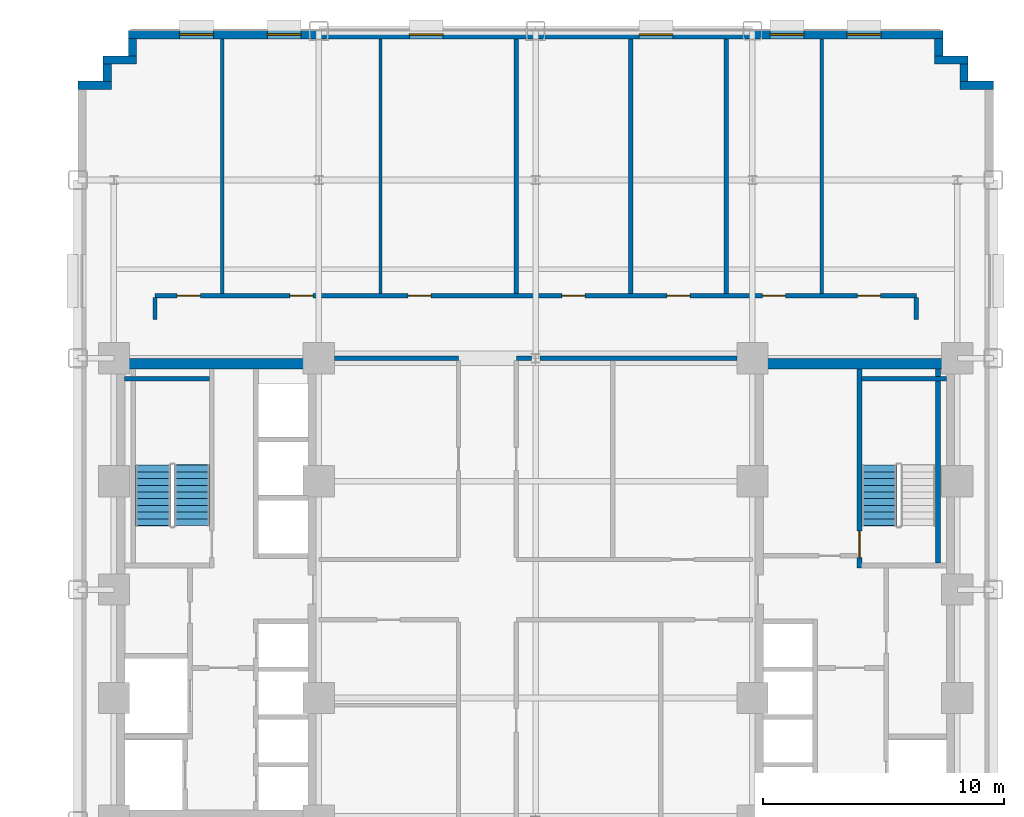
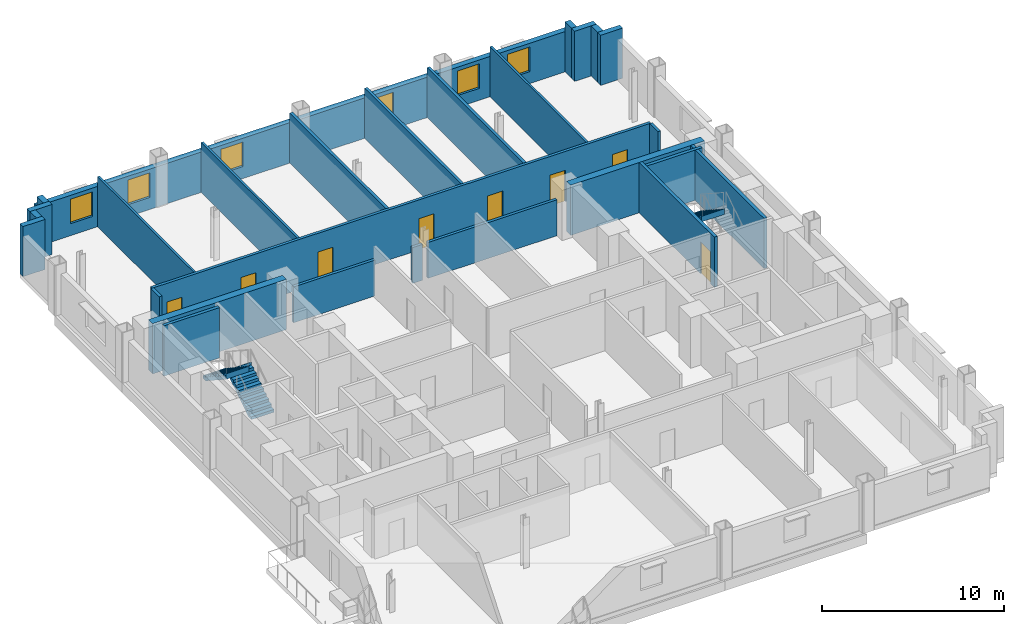
# One storey, part 7 of 12: 27 walls, 8 doors, 6 windows, 3 stair flights, 14 openings, 2 elements without a shape of their own.
"""IFC4 building model written with IfcOpenShell, lengths in metres."""

from ifc_helpers import new_model, si_unit, direction, frame, frame_2d, origin, place, context, subcontext, project, spatial, polyline, rectangle, outline, extrude, source, transform, mapped, material, layer, layer_set, type_object, type_shapes, element, fill, aggregate, save


model = new_model("IFC4")

# Units and contexts
model_context = context("Model", 3, precision=1e-05, world=origin(), true_north=direction((0.0, 1.0)))
body_context = subcontext(model_context, "Body", "Model", "MODEL_VIEW")
ifc_project = project(units=[si_unit("LENGTHUNIT", "METRE"), si_unit("AREAUNIT", "SQUARE_METRE"), si_unit("VOLUMEUNIT", "CUBIC_METRE"), si_unit("PLANEANGLEUNIT", "RADIAN"), si_unit("MASSUNIT", "GRAM", prefix="KILO")], contexts=[model_context])

# Site, building, storey
site_placement = place(None, origin())
site = spatial("IfcSite", under=ifc_project, at=site_placement, CompositionType="ELEMENT")
building_placement = place(site_placement, origin())
building = spatial("IfcBuilding", under=site, at=building_placement, Name="Nuvemarco Arch Tower", CompositionType="ELEMENT")
storey_placement = place(building_placement, frame((0.0, 0.0, 49.5)))
storey = spatial("IfcBuildingStorey", under=building, at=storey_placement, Name="L12", CompositionType="ELEMENT", Elevation=49.5)

# Walls
ifc_material_1 = material(Name="Precast concrete C45/55", Category="concrete")
ifc_layer_1 = layer(ifc_material_1, 0.340087890625, Name="EW-LOW-340")
ifc_layer_set_1 = layer_set([ifc_layer_1], Name="Precast concrete C45/55")
wall_type_1 = type_object("IfcWallType", Name="EW-LOW-340", PredefinedType="STANDARD", material=ifc_layer_set_1)
wall_1_placement = place(storey_placement, frame((17.610107421875, 20.929931640625, 0.0), z_axis=(0.0, 0.0, 1.0), x_axis=(1.0, 0.0, 0.0)))
element("IfcWall", 1, at=wall_1_placement, inside=storey, type_object=wall_type_1, Name="L12 exterior precast facade wall 7", PredefinedType="STANDARD", context=body_context, shape_type="SweptSolid", body=[
    extrude(rectangle(XDim=1.389892578125, YDim=0.340087890625, at=frame_2d((0.69482421875, 0.0))), origin(), (0.0, 0.0, 1.0), 3.360107421875),
])
wall_2_placement = place(storey_placement, frame((17.780029296875, 21.095947265625, 0.0), z_axis=(0.0, 0.0, 1.0), x_axis=(0.0, 1.0, 0.0)))
element("IfcWall", 2, at=wall_2_placement, inside=storey, type_object=wall_type_1, Name="L12 exterior precast facade wall 8", PredefinedType="STANDARD", context=body_context, shape_type="SweptSolid", body=[
    extrude(rectangle(XDim=0.718017578125, YDim=0.340087890625, at=frame_2d((0.35888671875, 0.0))), origin(), (0.0, 0.0, 1.0), 3.360107421875),
])
wall_3_placement = place(storey_placement, frame((16.56005859375, 21.97998046875, 0.0), z_axis=(0.0, 0.0, 1.0), x_axis=(1.0, 0.0, 0.0)))
element("IfcWall", 3, at=wall_3_placement, inside=storey, type_object=wall_type_1, Name="L12 exterior precast facade wall 9", PredefinedType="STANDARD", context=body_context, shape_type="SweptSolid", body=[
    extrude(rectangle(XDim=1.389892578125, YDim=0.340087890625, at=frame_2d((0.69482421875, 0.0))), origin(), (0.0, 0.0, 1.0), 3.360107421875),
])
wall_4_placement = place(storey_placement, frame((16.72998046875, 22.14599609375, 0.0), z_axis=(0.0, 0.0, 1.0), x_axis=(0.0, 1.0, 0.0)))
element("IfcWall", 4, at=wall_4_placement, inside=storey, type_object=wall_type_1, Name="L12 exterior precast facade wall 10", PredefinedType="STANDARD", context=body_context, shape_type="SweptSolid", body=[
    extrude(rectangle(XDim=0.718017578125, YDim=0.340087890625, at=frame_2d((0.35888671875, 0.0))), origin(), (0.0, 0.0, 1.0), 3.360107421875),
])

# Wall, openings, windows
wall_5_placement = place(storey_placement, frame((-16.89990234375, 23.030029296875, 0.0), z_axis=(0.0, 0.0, 1.0), x_axis=(1.0, 0.0, 0.0)))
wall_5 = element("IfcWall", 5, at=wall_5_placement, inside=storey, type_object=wall_type_1, Name="L12 exterior precast facade wall 11", PredefinedType="STANDARD", context=body_context, shape_type="SweptSolid", body=[
    extrude(rectangle(XDim=33.7998046875, YDim=0.340087890625, at=frame_2d((16.89990234375, 0.0))), origin(), (0.0, 0.0, 1.0), 2.705078125),
])
opening_1_placement = place(wall_5_placement, frame((2.121337890625, 0.0, 0.800048828125)))
opening_1 = element("IfcOpeningElement", 6, at=opening_1_placement, cuts=wall_5, Name="Opening WN-4", PredefinedType="OPENING", context=body_context, shape_type="SweptSolid", body=[
    extrude(rectangle(XDim=1.39990234375, YDim=1.64990234375, at=frame_2d((0.699951171875, 0.824951171875))), frame((0.0, 0.179931640625, 0.0), z_axis=(0.0, -1.0, 0.0), x_axis=(1.0, 0.0, 0.0)), (0.0, 0.0, 1.0), 0.360107421875),
])
opening_2_placement = place(wall_5_placement, frame((5.764404296875, 0.0, 0.800048828125)))
opening_2 = element("IfcOpeningElement", 7, at=opening_2_placement, cuts=wall_5, Name="Opening WN-4", PredefinedType="OPENING", context=body_context, shape_type="SweptSolid", body=[
    extrude(rectangle(XDim=1.39990234375, YDim=1.64990234375, at=frame_2d((0.699951171875, 0.824951171875))), frame((0.0, 0.179931640625, 0.0), z_axis=(0.0, -1.0, 0.0), x_axis=(1.0, 0.0, 0.0)), (0.0, 0.0, 1.0), 0.360107421875),
])
opening_3_placement = place(wall_5_placement, frame((11.656982421875, 0.0, 0.800048828125)))
opening_3 = element("IfcOpeningElement", 8, at=opening_3_placement, cuts=wall_5, Name="Opening WN-4", PredefinedType="OPENING", context=body_context, shape_type="SweptSolid", body=[
    extrude(rectangle(XDim=1.39990234375, YDim=1.64990234375, at=frame_2d((0.699951171875, 0.824951171875))), frame((0.0, 0.179931640625, 0.0), z_axis=(0.0, -1.0, 0.0), x_axis=(1.0, 0.0, 0.0)), (0.0, 0.0, 1.0), 0.360107421875),
])
opening_4_placement = place(wall_5_placement, frame((21.19287109375, 0.0, 0.800048828125)))
opening_4 = element("IfcOpeningElement", 9, at=opening_4_placement, cuts=wall_5, Name="Opening WN-4", PredefinedType="OPENING", context=body_context, shape_type="SweptSolid", body=[
    extrude(rectangle(XDim=1.39990234375, YDim=1.64990234375, at=frame_2d((0.699951171875, 0.824951171875))), frame((0.0, 0.179931640625, 0.0), z_axis=(0.0, -1.0, 0.0), x_axis=(1.0, 0.0, 0.0)), (0.0, 0.0, 1.0), 0.360107421875),
])
opening_5_placement = place(wall_5_placement, frame((26.6357421875, 0.0, 0.800048828125)))
opening_5 = element("IfcOpeningElement", 10, at=opening_5_placement, cuts=wall_5, Name="Opening WN-4", PredefinedType="OPENING", context=body_context, shape_type="SweptSolid", body=[
    extrude(rectangle(XDim=1.39990234375, YDim=1.64990234375, at=frame_2d((0.699951171875, 0.824951171875))), frame((0.0, 0.179931640625, 0.0), z_axis=(0.0, -1.0, 0.0), x_axis=(1.0, 0.0, 0.0)), (0.0, 0.0, 1.0), 0.360107421875),
])
opening_6_placement = place(wall_5_placement, frame((29.82861328125, 0.0, 0.800048828125)))
opening_6 = element("IfcOpeningElement", 11, at=opening_6_placement, cuts=wall_5, Name="Opening WN-4", PredefinedType="OPENING", context=body_context, shape_type="SweptSolid", body=[
    extrude(rectangle(XDim=1.39990234375, YDim=1.64990234375, at=frame_2d((0.699951171875, 0.824951171875))), frame((0.0, 0.179931640625, 0.0), z_axis=(0.0, -1.0, 0.0), x_axis=(1.0, 0.0, 0.0)), (0.0, 0.0, 1.0), 0.360107421875),
])
ifc_material_2 = material(Name="Insulated solar-control glass", Category="glass")
window_type = type_object("IfcWindowType", Name="WN-LOW-1400x1650", PartitioningType="SINGLE_PANEL", PredefinedType="WINDOW", material=ifc_material_2)
shared_shape_1 = source(origin(), body_context, "Body", "SweptSolid", [
    extrude(rectangle(XDim=1.39990234375, YDim=1.64990234375, at=frame_2d((0.699951171875, 0.824951171875))), frame((0.0, 0.030029296875, 0.0), z_axis=(0.0, -1.0, 0.0), x_axis=(1.0, 0.0, 0.0)), (0.0, 0.0, 1.0), 0.06005859375),
])
type_shapes(window_type, [shared_shape_1])
window_1_placement = place(opening_1_placement, origin())
window_1 = element("IfcWindow", 12, at=window_1_placement, inside=storey, type_object=window_type, Name="L12 punched facade window 1", OverallHeight=1.64990234375, OverallWidth=1.39990234375, PartitioningType="SINGLE_PANEL", PredefinedType="WINDOW", context=body_context, shape_type="MappedRepresentation", body=[
    mapped(shared_shape_1, transform((0.0, 0.0, 0.0), scale=1.0)),
])
fill(opening_1, window_1)
window_2_placement = place(opening_2_placement, origin())
window_2 = element("IfcWindow", 13, at=window_2_placement, inside=storey, type_object=window_type, Name="L12 punched facade window 2", OverallHeight=1.64990234375, OverallWidth=1.39990234375, PartitioningType="SINGLE_PANEL", PredefinedType="WINDOW", context=body_context, shape_type="MappedRepresentation", body=[
    mapped(shared_shape_1, transform((0.0, 0.0, 0.0), scale=1.0)),
])
fill(opening_2, window_2)
window_3_placement = place(opening_3_placement, origin())
window_3 = element("IfcWindow", 14, at=window_3_placement, inside=storey, type_object=window_type, Name="L12 punched facade window 3", OverallHeight=1.64990234375, OverallWidth=1.39990234375, PartitioningType="SINGLE_PANEL", PredefinedType="WINDOW", context=body_context, shape_type="MappedRepresentation", body=[
    mapped(shared_shape_1, transform((0.0, 0.0, 0.0), scale=1.0)),
])
fill(opening_3, window_3)
window_4_placement = place(opening_4_placement, origin())
window_4 = element("IfcWindow", 15, at=window_4_placement, inside=storey, type_object=window_type, Name="L12 punched facade window 5", OverallHeight=1.64990234375, OverallWidth=1.39990234375, PartitioningType="SINGLE_PANEL", PredefinedType="WINDOW", context=body_context, shape_type="MappedRepresentation", body=[
    mapped(shared_shape_1, transform((0.0, 0.0, 0.0), scale=1.0)),
])
fill(opening_4, window_4)
window_5_placement = place(opening_5_placement, origin())
window_5 = element("IfcWindow", 16, at=window_5_placement, inside=storey, type_object=window_type, Name="L12 punched facade window 6", OverallHeight=1.64990234375, OverallWidth=1.39990234375, PartitioningType="SINGLE_PANEL", PredefinedType="WINDOW", context=body_context, shape_type="MappedRepresentation", body=[
    mapped(shared_shape_1, transform((0.0, 0.0, 0.0), scale=1.0)),
])
fill(opening_5, window_5)
window_6_placement = place(opening_6_placement, origin())
window_6 = element("IfcWindow", 17, at=window_6_placement, inside=storey, type_object=window_type, Name="L12 punched facade window 7", OverallHeight=1.64990234375, OverallWidth=1.39990234375, PartitioningType="SINGLE_PANEL", PredefinedType="WINDOW", context=body_context, shape_type="MappedRepresentation", body=[
    mapped(shared_shape_1, transform((0.0, 0.0, 0.0), scale=1.0)),
])
fill(opening_6, window_6)

# Walls
wall_6_placement = place(storey_placement, frame((-16.72998046875, 22.14599609375, 0.0), z_axis=(0.0, 0.0, 1.0), x_axis=(0.0, 1.0, 0.0)))
element("IfcWall", 18, at=wall_6_placement, inside=storey, type_object=wall_type_1, Name="L12 exterior precast facade wall 12", PredefinedType="STANDARD", context=body_context, shape_type="SweptSolid", body=[
    extrude(rectangle(XDim=0.718017578125, YDim=0.340087890625, at=frame_2d((0.35888671875, 0.0))), origin(), (0.0, 0.0, 1.0), 3.360107421875),
])
wall_7_placement = place(storey_placement, frame((-17.949951171875, 21.97998046875, 0.0), z_axis=(0.0, 0.0, 1.0), x_axis=(1.0, 0.0, 0.0)))
element("IfcWall", 19, at=wall_7_placement, inside=storey, type_object=wall_type_1, Name="L12 exterior precast facade wall 13", PredefinedType="STANDARD", context=body_context, shape_type="SweptSolid", body=[
    extrude(rectangle(XDim=1.389892578125, YDim=0.340087890625, at=frame_2d((0.69482421875, 0.0))), origin(), (0.0, 0.0, 1.0), 3.360107421875),
])
wall_8_placement = place(storey_placement, frame((-17.780029296875, 21.095947265625, 0.0), z_axis=(0.0, 0.0, 1.0), x_axis=(0.0, 1.0, 0.0)))
element("IfcWall", 20, at=wall_8_placement, inside=storey, type_object=wall_type_1, Name="L12 exterior precast facade wall 14", PredefinedType="STANDARD", context=body_context, shape_type="SweptSolid", body=[
    extrude(rectangle(XDim=0.718017578125, YDim=0.340087890625, at=frame_2d((0.35888671875, 0.0))), origin(), (0.0, 0.0, 1.0), 3.360107421875),
])
wall_9_placement = place(storey_placement, frame((-19.0, 20.929931640625, 0.0), z_axis=(0.0, 0.0, 1.0), x_axis=(1.0, 0.0, 0.0)))
element("IfcWall", 21, at=wall_9_placement, inside=storey, type_object=wall_type_1, Name="L12 exterior precast facade wall 15", PredefinedType="STANDARD", context=body_context, shape_type="SweptSolid", body=[
    extrude(rectangle(XDim=1.389892578125, YDim=0.340087890625, at=frame_2d((0.69482421875, 0.0))), origin(), (0.0, 0.0, 1.0), 3.360107421875),
])
ifc_material_3 = material(Name="Concrete C60/75", Category="concrete")
ifc_layer_2 = layer(ifc_material_3, 0.449951171875, Name="WL-CORE-450")
ifc_layer_set_2 = layer_set([ifc_layer_2], Name="Concrete C60/75")
wall_type_2 = type_object("IfcWallType", Name="WL-CORE-450", PredefinedType="SHEAR", material=ifc_layer_set_2)
for number, where, z_axis, x_axis, name in (
    (22, (-17.5, 9.375, 0.0), (0.0, 0.0, 1.0), (1.0, 0.0, 0.0), "L12 W-core shear wall N"),
    (23, (9.0, 9.375, 0.0), (0.0, 0.0, 1.0), (1.0, 0.0, 0.0), "L12 E-core shear wall N"),
):
    element("IfcWall", number, at=place(storey_placement, frame(where, z_axis=z_axis, x_axis=x_axis)), inside=storey, type_object=wall_type_2, Name=name, PredefinedType="SHEAR", context=body_context, shape_type="SweptSolid", body=[
        extrude(rectangle(XDim=8.5, YDim=0.449951171875, at=frame_2d((4.25, 0.0))), origin(), (0.0, 0.0, 1.0), 3.3701171875),
    ])
ifc_material_4 = material(Name="Fire-rated gypsum drywall partition")
ifc_layer_3 = layer(ifc_material_4, 0.179931640625, Name="WL-CORR-180")
ifc_layer_set_3 = layer_set([ifc_layer_3], Name="Fire-rated gypsum drywall partition")
wall_type_3 = type_object("IfcWallType", Name="WL-CORR-180", PredefinedType="PARTITIONING", material=ifc_layer_set_3)
wall_10_placement = place(storey_placement, frame((-8.35400390625, 9.60009765625, 0.0), z_axis=(0.0, 0.0, 1.0), x_axis=(1.0, 0.0, 0.0)))
element("IfcWall", 24, at=wall_10_placement, inside=storey, type_object=wall_type_3, Name="L12 interior wall IW-L12-011", PredefinedType="PARTITIONING", context=body_context, shape_type="SweptSolid", body=[
    extrude(rectangle(XDim=5.154052734375, YDim=0.179931640625, at=frame_2d((2.5771484375, 0.0))), origin(), (0.0, 0.0, 1.0), 2.405029296875),
])
wall_11_placement = place(storey_placement, frame((-0.800048828125, 9.60009765625, 0.0), z_axis=(0.0, 0.0, 1.0), x_axis=(1.0, 0.0, 0.0)))
element("IfcWall", 25, at=wall_11_placement, inside=storey, type_object=wall_type_3, Name="L12 interior wall IW-L12-012", PredefinedType="PARTITIONING", context=body_context, shape_type="SweptSolid", body=[
    extrude(rectangle(XDim=0.6240234375, YDim=0.179931640625, at=frame_2d((0.31201171875, 0.0))), origin(), (0.0, 0.0, 1.0), 2.405029296875),
])
wall_12_placement = place(storey_placement, frame((0.176025390625, 9.60009765625, 0.0), z_axis=(0.0, 0.0, 1.0), x_axis=(1.0, 0.0, 0.0)))
element("IfcWall", 26, at=wall_12_placement, inside=storey, type_object=wall_type_3, Name="L12 interior wall IW-L12-013", PredefinedType="PARTITIONING", context=body_context, shape_type="SweptSolid", body=[
    extrude(rectangle(XDim=8.177978515625, YDim=0.179931640625, at=frame_2d((4.0888671875, 0.0))), origin(), (0.0, 0.0, 1.0), 2.405029296875),
])

# Wall, openings, doors
wall_13_placement = place(storey_placement, frame((-15.800048828125, 12.199951171875, 0.0), z_axis=(0.0, 0.0, 1.0), x_axis=(1.0, 0.0, 0.0)))
wall_13 = element("IfcWall", 27, at=wall_13_placement, inside=storey, type_object=wall_type_3, Name="L12 interior wall IW-L12-014", PredefinedType="PARTITIONING", context=body_context, shape_type="SweptSolid", body=[
    extrude(rectangle(XDim=31.60009765625, YDim=0.179931640625, at=frame_2d((15.800048828125, 0.0))), origin(), (0.0, 0.0, 1.0), 3.360107421875),
])
opening_7_placement = place(wall_13_placement, frame((5.60498046875, 0.0, 0.0)))
opening_7 = element("IfcOpeningElement", 28, at=opening_7_placement, cuts=wall_13, Name="Opening FD-5", PredefinedType="OPENING", context=body_context, shape_type="SweptSolid", body=[
    extrude(rectangle(XDim=0.9599609375, YDim=2.10009765625, at=frame_2d((0.47998046875, 1.050048828125))), frame((0.0, 0.099853515625, 0.0), z_axis=(0.0, -1.0, 0.0), x_axis=(1.0, 0.0, 0.0)), (0.0, 0.0, 1.0), 0.199951171875),
])
opening_8_placement = place(wall_13_placement, frame((16.89501953125, 0.0, 0.0)))
opening_8 = element("IfcOpeningElement", 29, at=opening_8_placement, cuts=wall_13, Name="Opening FD-5", PredefinedType="OPENING", context=body_context, shape_type="SweptSolid", body=[
    extrude(rectangle(XDim=0.9599609375, YDim=2.10009765625, at=frame_2d((0.47998046875, 1.050048828125))), frame((0.0, 0.099853515625, 0.0), z_axis=(0.0, -1.0, 0.0), x_axis=(1.0, 0.0, 0.0)), (0.0, 0.0, 1.0), 0.199951171875),
])
opening_9_placement = place(wall_13_placement, frame((21.25, 0.0, 0.0)))
opening_9 = element("IfcOpeningElement", 30, at=opening_9_placement, cuts=wall_13, Name="Opening FD-5", PredefinedType="OPENING", context=body_context, shape_type="SweptSolid", body=[
    extrude(rectangle(XDim=0.9599609375, YDim=2.10009765625, at=frame_2d((0.47998046875, 1.050048828125))), frame((0.0, 0.099853515625, 0.0), z_axis=(0.0, -1.0, 0.0), x_axis=(1.0, 0.0, 0.0)), (0.0, 0.0, 1.0), 0.199951171875),
])
opening_10_placement = place(wall_13_placement, frame((25.2099609375, 0.0, 0.0)))
opening_10 = element("IfcOpeningElement", 31, at=opening_10_placement, cuts=wall_13, Name="Opening FD-5", PredefinedType="OPENING", context=body_context, shape_type="SweptSolid", body=[
    extrude(rectangle(XDim=0.9599609375, YDim=2.10009765625, at=frame_2d((0.47998046875, 1.050048828125))), frame((0.0, 0.099853515625, 0.0), z_axis=(0.0, -1.0, 0.0), x_axis=(1.0, 0.0, 0.0)), (0.0, 0.0, 1.0), 0.199951171875),
])
opening_11_placement = place(wall_13_placement, frame((29.155029296875, 0.0, 0.0)))
opening_11 = element("IfcOpeningElement", 32, at=opening_11_placement, cuts=wall_13, Name="Opening FD-5", PredefinedType="OPENING", context=body_context, shape_type="SweptSolid", body=[
    extrude(rectangle(XDim=0.9599609375, YDim=2.10009765625, at=frame_2d((0.47998046875, 1.050048828125))), frame((0.0, 0.099853515625, 0.0), z_axis=(0.0, -1.0, 0.0), x_axis=(1.0, 0.0, 0.0)), (0.0, 0.0, 1.0), 0.199951171875),
])
opening_12_placement = place(wall_13_placement, frame((10.5, 0.0, 0.0)))
opening_12 = element("IfcOpeningElement", 33, at=opening_12_placement, cuts=wall_13, Name="Opening FD-5", PredefinedType="OPENING", context=body_context, shape_type="SweptSolid", body=[
    extrude(rectangle(XDim=0.9599609375, YDim=2.10009765625, at=frame_2d((0.47998046875, 1.050048828125))), frame((0.0, 0.099853515625, 0.0), z_axis=(0.0, -1.0, 0.0), x_axis=(1.0, 0.0, 0.0)), (0.0, 0.0, 1.0), 0.199951171875),
])
opening_13_placement = place(wall_13_placement, frame((0.925048828125, 0.0, 0.0)))
opening_13 = element("IfcOpeningElement", 34, at=opening_13_placement, cuts=wall_13, Name="Opening FD-5", PredefinedType="OPENING", context=body_context, shape_type="SweptSolid", body=[
    extrude(rectangle(XDim=0.9599609375, YDim=2.10009765625, at=frame_2d((0.47998046875, 1.050048828125))), frame((0.0, 0.099853515625, 0.0), z_axis=(0.0, -1.0, 0.0), x_axis=(1.0, 0.0, 0.0)), (0.0, 0.0, 1.0), 0.199951171875),
])
ifc_material_5 = material(Name="Timber fire door", Category="wood")
door_type_1 = type_object("IfcDoorType", Name="DR-CORR-FD", OperationType="NOTDEFINED", PredefinedType="DOOR", material=ifc_material_5)
shared_shape_2 = source(origin(), body_context, "Body", "SweptSolid", [
    extrude(rectangle(XDim=0.9599609375, YDim=2.10009765625, at=frame_2d((0.47998046875, 1.050048828125))), frame((0.0, 0.02490234375, 0.0), z_axis=(0.0, -1.0, 0.0), x_axis=(1.0, 0.0, 0.0)), (0.0, 0.0, 1.0), 0.050048828125),
])
type_shapes(door_type_1, [shared_shape_2])
door_1_placement = place(opening_7_placement, origin())
door_1 = element("IfcDoor", 35, at=door_1_placement, inside=storey, type_object=door_type_1, Name="L12 door DR-L12-N_2", OperationType="SINGLE_SWING_RIGHT", OverallHeight=2.10009765625, OverallWidth=0.9599609375, PredefinedType="DOOR", context=body_context, shape_type="MappedRepresentation", body=[
    mapped(shared_shape_2, transform((0.0, 0.0, 0.0), scale=1.0)),
])
fill(opening_7, door_1)
door_2_placement = place(opening_8_placement, origin())
door_2 = element("IfcDoor", 36, at=door_2_placement, inside=storey, type_object=door_type_1, Name="L12 door DR-L12-N_4", OperationType="SINGLE_SWING_RIGHT", OverallHeight=2.10009765625, OverallWidth=0.9599609375, PredefinedType="DOOR", context=body_context, shape_type="MappedRepresentation", body=[
    mapped(shared_shape_2, transform((0.0, 0.0, 0.0), scale=1.0)),
])
fill(opening_8, door_2)
door_3_placement = place(opening_9_placement, origin())
door_3 = element("IfcDoor", 37, at=door_3_placement, inside=storey, type_object=door_type_1, Name="L12 door DR-L12-N_5", OperationType="SINGLE_SWING_LEFT", OverallHeight=2.10009765625, OverallWidth=0.9599609375, PredefinedType="DOOR", context=body_context, shape_type="MappedRepresentation", body=[
    mapped(shared_shape_2, transform((0.0, 0.0, 0.0), scale=1.0)),
])
fill(opening_9, door_3)
door_4_placement = place(opening_10_placement, origin())
door_4 = element("IfcDoor", 38, at=door_4_placement, inside=storey, type_object=door_type_1, Name="L12 door DR-L12-N_6", OperationType="SINGLE_SWING_RIGHT", OverallHeight=2.10009765625, OverallWidth=0.9599609375, PredefinedType="DOOR", context=body_context, shape_type="MappedRepresentation", body=[
    mapped(shared_shape_2, transform((0.0, 0.0, 0.0), scale=1.0)),
])
fill(opening_10, door_4)
door_5_placement = place(opening_11_placement, origin())
door_5 = element("IfcDoor", 39, at=door_5_placement, inside=storey, type_object=door_type_1, Name="L12 door DR-L12-N_7", OperationType="SINGLE_SWING_LEFT", OverallHeight=2.10009765625, OverallWidth=0.9599609375, PredefinedType="DOOR", context=body_context, shape_type="MappedRepresentation", body=[
    mapped(shared_shape_2, transform((0.0, 0.0, 0.0), scale=1.0)),
])
fill(opening_11, door_5)
door_6_placement = place(opening_12_placement, origin())
door_6 = element("IfcDoor", 40, at=door_6_placement, inside=storey, type_object=door_type_1, Name="L12 door DR-L12-N_3", OperationType="SINGLE_SWING_LEFT", OverallHeight=2.10009765625, OverallWidth=0.9599609375, PredefinedType="DOOR", context=body_context, shape_type="MappedRepresentation", body=[
    mapped(shared_shape_2, transform((0.0, 0.0, 0.0), scale=1.0)),
])
fill(opening_12, door_6)
door_7_placement = place(opening_13_placement, origin())
door_7 = element("IfcDoor", 41, at=door_7_placement, inside=storey, type_object=door_type_1, Name="L12 door DR-L12-N_1", OperationType="SINGLE_SWING_RIGHT", OverallHeight=2.10009765625, OverallWidth=0.9599609375, PredefinedType="DOOR", context=body_context, shape_type="MappedRepresentation", body=[
    mapped(shared_shape_2, transform((0.0, 0.0, 0.0), scale=1.0)),
])
fill(opening_13, door_7)

# Walls
wall_14_placement = place(storey_placement, frame((-15.800048828125, 11.199951171875, 0.0), z_axis=(0.0, 0.0, 1.0), x_axis=(0.0, 1.0, 0.0)))
element("IfcWall", 42, at=wall_14_placement, inside=storey, type_object=wall_type_3, Name="L12 interior wall IW-L12-016", PredefinedType="PARTITIONING", context=body_context, shape_type="SweptSolid", body=[
    extrude(rectangle(XDim=0.9140625, YDim=0.179931640625, at=frame_2d((0.45703125, 0.0))), origin(), (0.0, 0.0, 1.0), 3.360107421875),
])
for number, where, z_axis, x_axis, name in (
    (43, (-0.800048828125, 12.285888671875, 0.0), (0.0, 0.0, 1.0), (0.0, 1.0, 0.0), "L12 interior wall IW-L12-028"),
    (44, (3.949951171875, 12.285888671875, 0.0), (0.0, 0.0, 1.0), (0.0, 1.0, 0.0), "L12 interior wall IW-L12-030"),
    (45, (7.909912109375, 12.285888671875, 0.0), (0.0, 0.0, 1.0), (0.0, 1.0, 0.0), "L12 interior wall IW-L12-033"),
):
    element("IfcWall", number, at=place(storey_placement, frame(where, z_axis=z_axis, x_axis=x_axis)), inside=storey, type_object=wall_type_3, Name=name, PredefinedType="PARTITIONING", context=body_context, shape_type="SweptSolid", body=[
        extrude(rectangle(XDim=10.57421875, YDim=0.179931640625, at=frame_2d((5.287109375, 0.0))), origin(), (0.0, 0.0, 1.0), 3.360107421875),
    ])
wall_15_placement = place(storey_placement, frame((15.800048828125, 11.199951171875, 0.0), z_axis=(0.0, 0.0, 1.0), x_axis=(0.0, 1.0, 0.0)))
element("IfcWall", 46, at=wall_15_placement, inside=storey, type_object=wall_type_3, Name="L12 interior wall IW-L12-038", PredefinedType="PARTITIONING", context=body_context, shape_type="SweptSolid", body=[
    extrude(rectangle(XDim=0.9140625, YDim=0.179931640625, at=frame_2d((0.45703125, 0.0))), origin(), (0.0, 0.0, 1.0), 3.360107421875),
])
ifc_material_6 = material(Name="Gypsum plasterboard partition")
ifc_layer_4 = layer(ifc_material_6, 0.139892578125, Name="WL-ROOM-140")
ifc_layer_set_4 = layer_set([ifc_layer_4], Name="Gypsum plasterboard partition")
wall_type_4 = type_object("IfcWallType", Name="WL-ROOM-140", PredefinedType="PARTITIONING", material=ifc_layer_set_4)
for number, where, z_axis, x_axis, name in (
    (47, (-13.0, 12.285888671875, 0.0), (0.0, 0.0, 1.0), (0.0, 1.0, 0.0), "L12 interior wall IW-L12-018"),
    (48, (-6.43994140625, 12.285888671875, 0.0), (0.0, 0.0, 1.0), (0.0, 1.0, 0.0), "L12 interior wall IW-L12-021"),
    (49, (11.8701171875, 12.285888671875, 0.0), (0.0, 0.0, 1.0), (0.0, 1.0, 0.0), "L12 interior wall IW-L12-035"),
):
    element("IfcWall", number, at=place(storey_placement, frame(where, z_axis=z_axis, x_axis=x_axis)), inside=storey, type_object=wall_type_4, Name=name, PredefinedType="PARTITIONING", context=body_context, shape_type="SweptSolid", body=[
        extrude(rectangle(XDim=10.57421875, YDim=0.139892578125, at=frame_2d((5.287109375, 0.0))), origin(), (0.0, 0.0, 1.0), 3.360107421875),
    ])
ifc_material_7 = material(Name="Concrete C50/60", Category="concrete")
ifc_layer_5 = layer(ifc_material_7, 0.199951171875, Name="WL-SHAFT-220")
ifc_layer_set_5 = layer_set([ifc_layer_5], Name="Concrete C50/60")
wall_type_5 = type_object("IfcWallType", Name="WL-SHAFT-220", PredefinedType="SHEAR", material=ifc_layer_set_5)
wall_16_placement = place(storey_placement, frame((-17.054931640625, 8.75, 0.0), z_axis=(0.0, 0.0, 1.0), x_axis=(1.0, 0.0, 0.0)))
element("IfcWall", 50, at=wall_16_placement, inside=storey, type_object=wall_type_5, Name="L12 structural shaft wall SW-L12-W-ST1N", PredefinedType="SHEAR", context=body_context, shape_type="SweptSolid", body=[
    extrude(rectangle(XDim=3.52001953125, YDim=0.199951171875, at=frame_2d((1.760009765625, 0.0))), origin(), (0.0, 0.0, 1.0), 3.3701171875),
])

# Wall, opening, door
wall_17_placement = place(storey_placement, frame((13.43994140625, 0.89990234375, 0.0), z_axis=(0.0, 0.0, 1.0), x_axis=(0.0, 1.0, 0.0)))
wall_17 = element("IfcWall", 51, at=wall_17_placement, inside=storey, type_object=wall_type_5, Name="L12 structural shaft wall SW-L12-E-ST2W", PredefinedType="SHEAR", context=body_context, shape_type="SweptSolid", body=[
    extrude(rectangle(XDim=8.255126953125, YDim=0.199951171875, at=frame_2d((4.12744140625, 0.0))), origin(), (0.0, 0.0, 1.0), 3.3701171875),
])
opening_14_placement = place(wall_17_placement, frame((0.429931640625, 0.0, 0.0)))
opening_14 = element("IfcOpeningElement", 52, at=opening_14_placement, cuts=wall_17, Name="Opening FD-1", PredefinedType="OPENING", context=body_context, shape_type="SweptSolid", body=[
    extrude(rectangle(XDim=1.10009765625, YDim=2.14990234375, at=frame_2d((0.550048828125, 1.074951171875))), frame((0.0, 0.10986328125, 0.0), z_axis=(0.0, -1.0, 0.0), x_axis=(1.0, 0.0, 0.0)), (0.0, 0.0, 1.0), 0.219970703125),
])
ifc_material_8 = material(Name="Anodised steel fire door", Category="steel")
door_type_2 = type_object("IfcDoorType", Name="DR-STAIR-FD", OperationType="NOTDEFINED", PredefinedType="DOOR", material=ifc_material_8)
shared_shape_3 = source(origin(), body_context, "Body", "SweptSolid", [
    extrude(rectangle(XDim=1.10009765625, YDim=2.14990234375, at=frame_2d((0.550048828125, 1.074951171875))), frame((0.0, 0.02490234375, 0.0), z_axis=(0.0, -1.0, 0.0), x_axis=(1.0, 0.0, 0.0)), (0.0, 0.0, 1.0), 0.050048828125),
])
type_shapes(door_type_2, [shared_shape_3])
door_8_placement = place(opening_14_placement, origin())
door_8 = element("IfcDoor", 53, at=door_8_placement, inside=storey, type_object=door_type_2, Name="L12 door FD-L12-ST2", OperationType="SINGLE_SWING_RIGHT", OverallHeight=2.14990234375, OverallWidth=1.10009765625, PredefinedType="DOOR", context=body_context, shape_type="MappedRepresentation", body=[
    mapped(shared_shape_3, transform((0.0, 0.0, 0.0), scale=1.0)),
])
fill(opening_14, door_8)

# Walls
wall_18_placement = place(storey_placement, frame((13.534912109375, 8.75, 0.0), z_axis=(0.0, 0.0, 1.0), x_axis=(1.0, 0.0, 0.0)))
element("IfcWall", 54, at=wall_18_placement, inside=storey, type_object=wall_type_5, Name="L12 structural shaft wall SW-L12-E-ST2N", PredefinedType="SHEAR", context=body_context, shape_type="SweptSolid", body=[
    extrude(rectangle(XDim=3.52001953125, YDim=0.199951171875, at=frame_2d((1.760009765625, 0.0))), origin(), (0.0, 0.0, 1.0), 3.3701171875),
])
wall_19_placement = place(storey_placement, frame((16.699951171875, 1.094970703125, 0.0), z_axis=(0.0, 0.0, 1.0), x_axis=(0.0, 1.0, 0.0)))
element("IfcWall", 55, at=wall_19_placement, inside=storey, type_object=wall_type_5, Name="L12 structural shaft wall SW-L12-E-ST2E", PredefinedType="SHEAR", context=body_context, shape_type="SweptSolid", body=[
    extrude(rectangle(XDim=8.06005859375, YDim=0.199951171875, at=frame_2d((4.030029296875, 0.0))), origin(), (0.0, 0.0, 1.0), 3.3701171875),
])

# Stair, stair flights
stair_type = type_object("IfcStairType", Name="ST-CORE-20R", PredefinedType="HALF_TURN_STAIR", material=ifc_material_1)
stair_1_placement = place(storey_placement, origin())
stair_1 = element("IfcStair", 56, at=stair_1_placement, inside=storey, type_object=stair_type, Name="L12 Protected Exit Stair ST-1", PredefinedType="HALF_TURN_STAIR")
stair_flight_type = type_object("IfcStairFlightType", Name="SF-CORE-20R", PredefinedType="STRAIGHT", material=ifc_material_1)
stair_flight_1_placement = place(storey_placement, frame((-14.264892578125, 2.64990234375, 0.0), z_axis=(0.0, 0.0, 1.0), x_axis=(0.0, 1.0, 0.0)))
stair_flight_1 = element("IfcStairFlight", 57, at=stair_flight_1_placement, type_object=stair_flight_type, Name="ST-20R flight 1", NumberOfRisers=10, NumberOfTreads=9, PredefinedType="STRAIGHT", RiserHeight=0.1825, TreadLength=0.28, context=body_context, shape_type="SweptSolid", body=[
    extrude(outline(polyline([(0.0, 0.0), (0.0, 0.1826171875), (0.280029296875, 0.1826171875), (0.280029296875, 0.364990234375), (0.56005859375, 0.364990234375), (0.56005859375, 0.547607421875), (0.840087890625, 0.547607421875), (0.840087890625, 0.72998046875), (1.1201171875, 0.72998046875), (1.1201171875, 0.91259765625), (1.39990234375, 0.91259765625), (1.39990234375, 1.094970703125), (1.679931640625, 1.094970703125), (1.679931640625, 1.277587890625), (1.9599609375, 1.277587890625), (1.9599609375, 1.4599609375), (2.239990234375, 1.4599609375), (2.239990234375, 1.642578125), (2.52001953125, 1.642578125), (2.52001953125, 1.824951171875), (2.5400390625, 1.824951171875), (2.5400390625, 1.45166015625), (0.312744140625, 0.0), (0.0, 0.0)])), frame((0.0, 0.72509765625, 0.0), z_axis=(0.0, -1.0, 0.0), x_axis=(1.0, 0.0, 0.0)), (0.0, 0.0, 1.0), 1.449951171875),
])
stair_flight_2_placement = place(storey_placement, frame((-15.875, 5.169921875, 1.824951171875), z_axis=(0.0, 0.0, 1.0), x_axis=(0.0, -1.0, 0.0)))
stair_flight_2 = element("IfcStairFlight", 58, at=stair_flight_2_placement, type_object=stair_flight_type, Name="ST-20R flight 2", NumberOfRisers=10, NumberOfTreads=9, PredefinedType="STRAIGHT", RiserHeight=0.1825, TreadLength=0.28, context=body_context, shape_type="SweptSolid", body=[
    extrude(outline(polyline([(0.0, 0.0), (0.0, 0.1826171875), (0.280029296875, 0.1826171875), (0.280029296875, 0.364990234375), (0.56005859375, 0.364990234375), (0.56005859375, 0.547607421875), (0.840087890625, 0.547607421875), (0.840087890625, 0.72998046875), (1.1201171875, 0.72998046875), (1.1201171875, 0.91259765625), (1.39990234375, 0.91259765625), (1.39990234375, 1.094970703125), (1.679931640625, 1.094970703125), (1.679931640625, 1.277587890625), (1.9599609375, 1.277587890625), (1.9599609375, 1.4599609375), (2.239990234375, 1.4599609375), (2.239990234375, 1.642578125), (2.52001953125, 1.642578125), (2.52001953125, 1.824951171875), (2.5400390625, 1.824951171875), (2.5400390625, 1.45166015625), (0.312744140625, 0.0), (0.0, 0.0)])), frame((0.0, 0.72509765625, 0.0), z_axis=(0.0, -1.0, 0.0), x_axis=(1.0, 0.0, 0.0)), (0.0, 0.0, 1.0), 1.449951171875),
])
aggregate(stair_1, [stair_flight_1, stair_flight_2])

# Stair, stair flight
stair_2_placement = place(storey_placement, origin())
stair_2 = element("IfcStair", 59, at=stair_2_placement, inside=storey, type_object=stair_type, Name="L12 Protected Exit Stair ST-2", PredefinedType="HALF_TURN_STAIR")
stair_flight_3_placement = place(storey_placement, frame((14.264892578125, 5.169921875, 1.824951171875), z_axis=(0.0, 0.0, 1.0), x_axis=(0.0, -1.0, 0.0)))
stair_flight_3 = element("IfcStairFlight", 60, at=stair_flight_3_placement, type_object=stair_flight_type, Name="ST-20R flight 2", NumberOfRisers=10, NumberOfTreads=9, PredefinedType="STRAIGHT", RiserHeight=0.1825, TreadLength=0.28, context=body_context, shape_type="SweptSolid", body=[
    extrude(outline(polyline([(0.0, 0.0), (0.0, 0.1826171875), (0.280029296875, 0.1826171875), (0.280029296875, 0.364990234375), (0.56005859375, 0.364990234375), (0.56005859375, 0.547607421875), (0.840087890625, 0.547607421875), (0.840087890625, 0.72998046875), (1.1201171875, 0.72998046875), (1.1201171875, 0.91259765625), (1.39990234375, 0.91259765625), (1.39990234375, 1.094970703125), (1.679931640625, 1.094970703125), (1.679931640625, 1.277587890625), (1.9599609375, 1.277587890625), (1.9599609375, 1.4599609375), (2.239990234375, 1.4599609375), (2.239990234375, 1.642578125), (2.52001953125, 1.642578125), (2.52001953125, 1.824951171875), (2.5400390625, 1.824951171875), (2.5400390625, 1.45166015625), (0.312744140625, 0.0), (0.0, 0.0)])), frame((0.0, 0.72509765625, 0.0), z_axis=(0.0, -1.0, 0.0), x_axis=(1.0, 0.0, 0.0)), (0.0, 0.0, 1.0), 1.449951171875),
])
aggregate(stair_2, [stair_flight_3])

save(model, "model.ifc")
